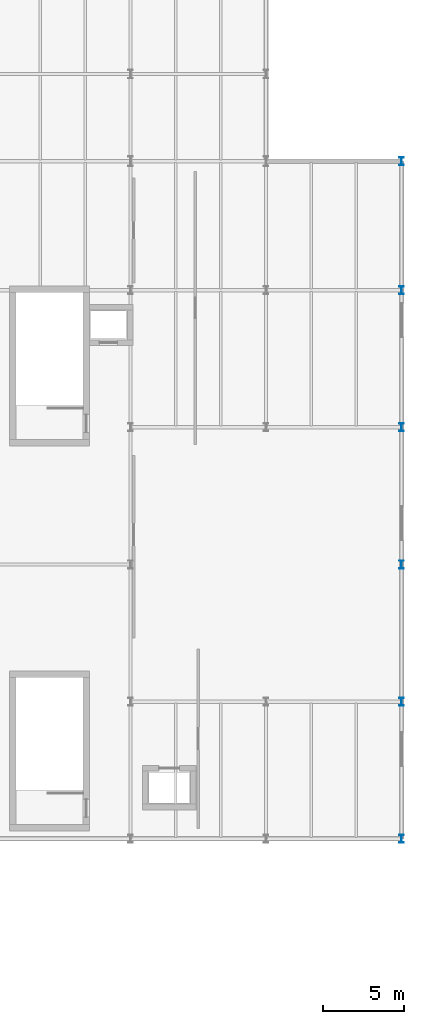
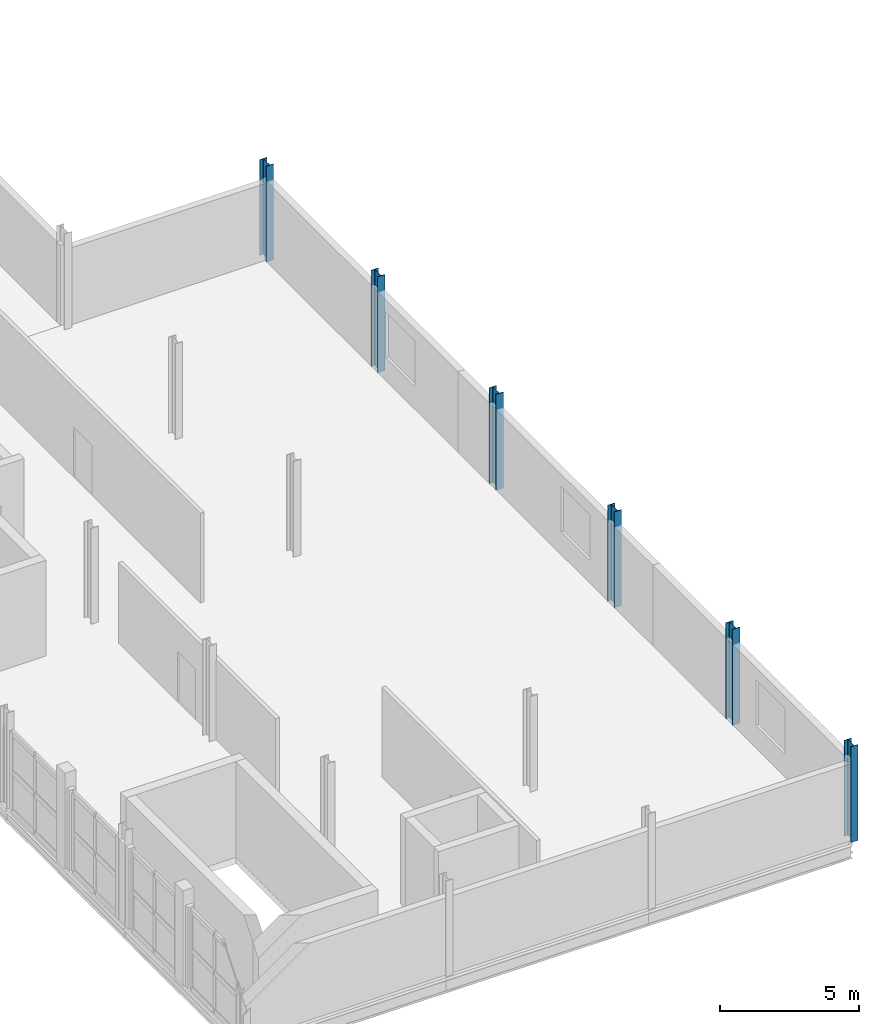
# One storey, part 10 of 45: 6 columns.
"""IFC4 building model written with IfcOpenShell, lengths in metres."""

from ifc_helpers import new_model, si_unit, direction, frame, origin, origin_2d, place, context, subcontext, project, spatial, i_section, extrude, material, material_profile, profile_set, type_object, element, save


model = new_model("IFC4")

# Units and contexts
model_context = context("Model", 3, precision=1e-05, world=origin(), true_north=direction((0.0, 1.0)))
body_context = subcontext(model_context, "Body", "Model", "MODEL_VIEW")
ifc_project = project(units=[si_unit("LENGTHUNIT", "METRE"), si_unit("AREAUNIT", "SQUARE_METRE"), si_unit("VOLUMEUNIT", "CUBIC_METRE"), si_unit("PLANEANGLEUNIT", "RADIAN"), si_unit("MASSUNIT", "GRAM", prefix="KILO")], contexts=[model_context])

# Site, building, storey
site_placement = place(None, origin())
site = spatial("IfcSite", under=ifc_project, at=site_placement, CompositionType="ELEMENT")
building_placement = place(site_placement, origin())
building = spatial("IfcBuilding", under=site, at=building_placement, Name="Sefraquen Railside Congress Hotel", CompositionType="ELEMENT")
storey_placement = place(building_placement, frame((0.0, 0.0, 20.39990234375)))
storey = spatial("IfcBuildingStorey", under=building, at=storey_placement, Name="L04", CompositionType="ELEMENT", Elevation=20.39990234375)

# Columns
ifc_material = material(Name="Steel S355JR", Category="steel")
ifc_material_profile = material_profile(ifc_material, i_section(OverallWidth=0.300048828125, OverallDepth=0.5, WebThickness=0.014404296875, FlangeThickness=0.028076171875, FilletRadius=0.027099609375, at=origin_2d()), Name="HEB 500")
ifc_profile_set = profile_set([ifc_material_profile], Name="Steel S355JR")
column_type = type_object("IfcColumnType", Name="TC-HEB-500", PredefinedType="COLUMN", material=ifc_profile_set)
for number, where, z_axis, x_axis, name in (
    (1, (128.39990234375, 54.0, 0.0), (0.0, 0.0, 1.0), (1.0, 0.0, 0.0), "Structural column 17-G L04"),
    (2, (128.39990234375, 62.5, 0.0), (0.0, 0.0, 1.0), (1.0, 0.0, 0.0), "Structural column 17-H L04"),
    (3, (128.39990234375, 71.0, 0.0), (0.0, 0.0, 1.0), (1.0, 0.0, 0.0), "Structural column 17-J L04"),
    (4, (128.39990234375, 79.5, 0.0), (0.0, 0.0, 1.0), (1.0, 0.0, 0.0), "Structural column 17-K L04"),
    (5, (128.39990234375, 88.0, 0.0), (0.0, 0.0, 1.0), (1.0, 0.0, 0.0), "Structural column 17-L L04"),
    (6, (128.39990234375, 96.0, 0.0), (0.0, 0.0, 1.0), (1.0, 0.0, 0.0), "Structural column 17-M L04"),
):
    element("IfcColumn", number, at=place(storey_placement, frame(where, z_axis=z_axis, x_axis=x_axis)), inside=storey, type_object=column_type, Name=name, PredefinedType="COLUMN", context=body_context, shape_type="SweptSolid", body=[
        extrude(i_section(OverallWidth=0.300048828125, OverallDepth=0.5, WebThickness=0.014404296875, FlangeThickness=0.028076171875, FilletRadius=0.027099609375, at=origin_2d()), origin(), (0.0, 0.0, 1.0), 4.2001953125),
    ])

save(model, "model.ifc")
